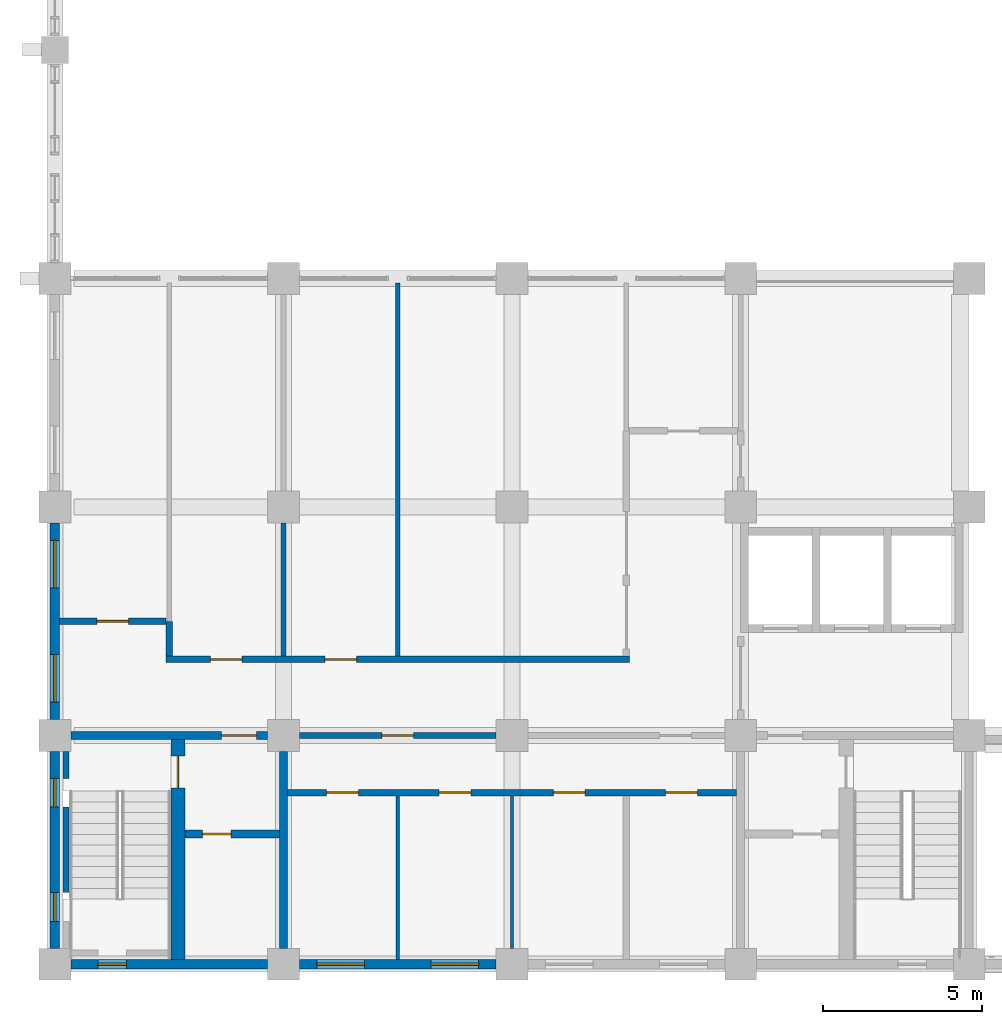
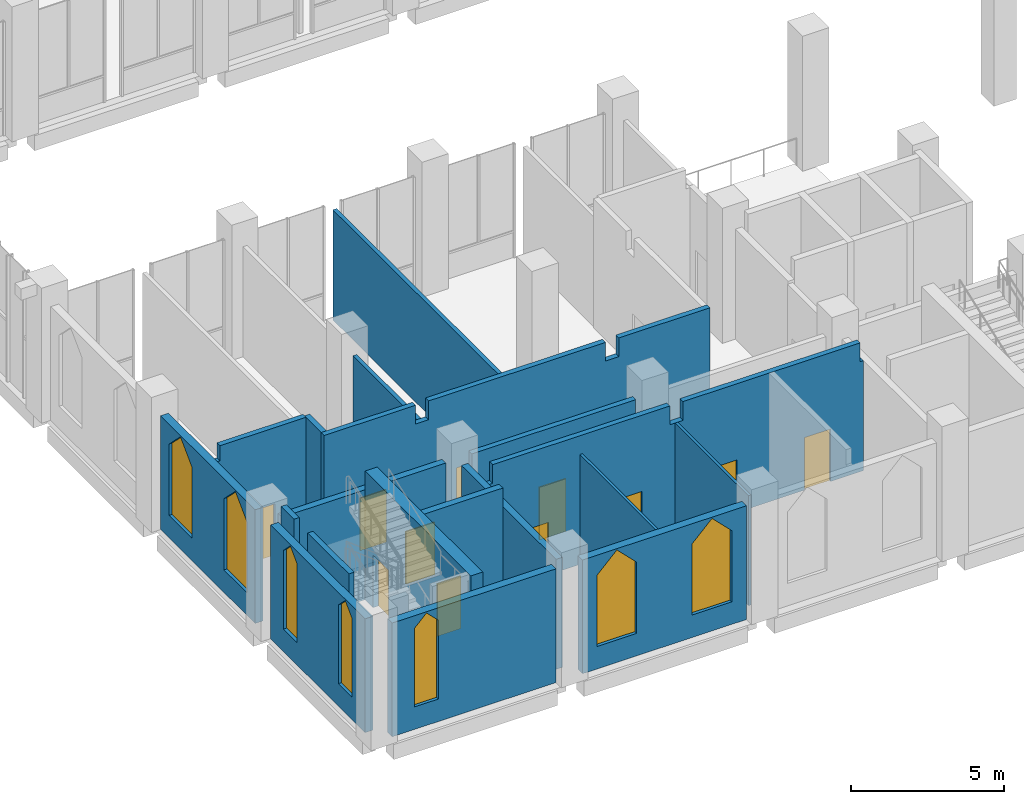
# One storey, part 27 of 48: 19 walls, 11 doors, 7 windows, 18 openings.
"""IFC4 building model written with IfcOpenShell, lengths in metres."""

from ifc_helpers import new_model, si_unit, direction, frame, frame_2d, origin, place, context, subcontext, project, spatial, polyline, rectangle, outline, extrude, material, layer, layer_set, type_object, element, fill, save


model = new_model("IFC4")

# Units and contexts
model_context = context("Model", 3, precision=1e-05, world=origin(), true_north=direction((0.0, 1.0)))
body_context = subcontext(model_context, "Body", "Model", "MODEL_VIEW")
ifc_project = project(units=[si_unit("LENGTHUNIT", "METRE"), si_unit("AREAUNIT", "SQUARE_METRE"), si_unit("VOLUMEUNIT", "CUBIC_METRE"), si_unit("PLANEANGLEUNIT", "RADIAN"), si_unit("MASSUNIT", "GRAM", prefix="KILO")], contexts=[model_context])

# Site, building, storey
site_placement = place(None, origin())
site = spatial("IfcSite", under=ifc_project, at=site_placement, CompositionType="ELEMENT")
building_placement = place(site_placement, origin())
building = spatial("IfcBuilding", under=site, at=building_placement, Name="Silangan Lancet Faculty of Sciences", CompositionType="ELEMENT")
storey_placement = place(building_placement, frame((0.0, 0.0, 6.0)))
storey = spatial("IfcBuildingStorey", under=building, at=storey_placement, Name="L01", CompositionType="ELEMENT", Elevation=6.0)

# Wall, openings, windows
ifc_material_1 = material(Name="Concrete C40/50 precast", Category="concrete")
ifc_layer_1 = layer(ifc_material_1, 0.300048828125)
ifc_layer_set_1 = layer_set([ifc_layer_1], Name="Concrete C40/50 precast")
wall_type_1 = type_object("IfcWallType", Name="EW2 Turret enclosure wall", PredefinedType="STANDARD", material=ifc_layer_set_1)
wall_1_placement = place(storey_placement, frame((0.0, 0.5, 0.0), z_axis=(0.0, 0.0, 1.0), x_axis=(0.0, 1.0, 0.0)))
wall_1 = element("IfcWall", 1, at=wall_1_placement, inside=storey, type_object=wall_type_1, Name="EW-L01-W-ST-00", PredefinedType="STANDARD", context=body_context, shape_type="SweptSolid", body=[
    extrude(rectangle(XDim=6.199951171875, YDim=0.300048828125, at=frame_2d((3.10009765625, 0.0))), origin(), (0.0, 0.0, 1.0), 4.550048828125),
])
opening_1_placement = place(wall_1_placement, frame((0.85009765625, 0.0, 0.89990234375)))
opening_1 = element("IfcOpeningElement", 2, at=opening_1_placement, cuts=wall_1, Name="Opening W5", PredefinedType="OPENING", context=body_context, shape_type="SweptSolid", body=[
    extrude(outline(polyline([(0.0, 0.0), (0.89990234375, 0.0), (0.89990234375, 3.150146484375), (0.449951171875, 3.60009765625), (0.0, 3.150146484375), (0.0, 0.0)])), frame((0.0, 0.159912109375, 0.0), z_axis=(0.0, -1.0, 0.0), x_axis=(1.0, 0.0, 0.0)), (0.0, 0.0, 1.0), 0.320068359375),
])
opening_2_placement = place(wall_1_placement, frame((4.449951171875, 0.0, 0.89990234375)))
opening_2 = element("IfcOpeningElement", 3, at=opening_2_placement, cuts=wall_1, Name="Opening W5", PredefinedType="OPENING", context=body_context, shape_type="SweptSolid", body=[
    extrude(outline(polyline([(0.0, 0.0), (0.89990234375, 0.0), (0.89990234375, 3.150146484375), (0.449951171875, 3.60009765625), (0.0, 3.150146484375), (0.0, 0.0)])), frame((0.0, 0.159912109375, 0.0), z_axis=(0.0, -1.0, 0.0), x_axis=(1.0, 0.0, 0.0)), (0.0, 0.0, 1.0), 0.320068359375),
])
ifc_material_2 = material(Name="Aluminium frame, laminated double glazing", Category="aluminium")
window_type_1 = type_object("IfcWindowType", Name="W5 Lancet window 900 x 3600", PartitioningType="SINGLE_PANEL", PredefinedType="WINDOW", material=ifc_material_2)
window_1_placement = place(opening_1_placement, origin())
window_1 = element("IfcWindow", 4, at=window_1_placement, inside=storey, type_object=window_type_1, Name="WIN-L01-W-ST-00a", OverallHeight=3.60009765625, OverallWidth=0.89990234375, PartitioningType="SINGLE_PANEL", PredefinedType="WINDOW", context=body_context, shape_type="SweptSolid", body=[
    extrude(outline(polyline([(0.0, 0.0), (0.89990234375, 0.0), (0.89990234375, 3.150146484375), (0.449951171875, 3.60009765625), (0.0, 3.150146484375), (0.0, 0.0)])), frame((0.0, 0.030029296875, 0.0), z_axis=(0.0, -1.0, 0.0), x_axis=(1.0, 0.0, 0.0)), (0.0, 0.0, 1.0), 0.06005859375),
])
fill(opening_1, window_1)
window_2_placement = place(opening_2_placement, origin())
window_2 = element("IfcWindow", 5, at=window_2_placement, inside=storey, type_object=window_type_1, Name="WIN-L01-W-ST-00b", OverallHeight=3.60009765625, OverallWidth=0.89990234375, PartitioningType="SINGLE_PANEL", PredefinedType="WINDOW", context=body_context, shape_type="SweptSolid", body=[
    extrude(outline(polyline([(0.0, 0.0), (0.89990234375, 0.0), (0.89990234375, 3.150146484375), (0.449951171875, 3.60009765625), (0.0, 3.150146484375), (0.0, 0.0)])), frame((0.0, 0.030029296875, 0.0), z_axis=(0.0, -1.0, 0.0), x_axis=(1.0, 0.0, 0.0)), (0.0, 0.0, 1.0), 0.06005859375),
])
fill(opening_2, window_2)

# Wall, opening, window
wall_2_placement = place(storey_placement, frame((0.5, 0.0, 0.0), z_axis=(0.0, 0.0, 1.0), x_axis=(1.0, 0.0, 0.0)))
wall_2 = element("IfcWall", 6, at=wall_2_placement, inside=storey, type_object=wall_type_1, Name="EW-L01-S-ST-00", PredefinedType="STANDARD", context=body_context, shape_type="SweptSolid", body=[
    extrude(rectangle(XDim=6.199951171875, YDim=0.300048828125, at=frame_2d((3.10009765625, 0.0))), origin(), (0.0, 0.0, 1.0), 4.550048828125),
])
opening_3_placement = place(wall_2_placement, frame((0.85009765625, 0.0, 0.89990234375)))
opening_3 = element("IfcOpeningElement", 7, at=opening_3_placement, cuts=wall_2, Name="Opening W5", PredefinedType="OPENING", context=body_context, shape_type="SweptSolid", body=[
    extrude(outline(polyline([(0.0, 0.0), (0.89990234375, 0.0), (0.89990234375, 3.150146484375), (0.449951171875, 3.60009765625), (0.0, 3.150146484375), (0.0, 0.0)])), frame((0.0, 0.159912109375, 0.0), z_axis=(0.0, -1.0, 0.0), x_axis=(1.0, 0.0, 0.0)), (0.0, 0.0, 1.0), 0.320068359375),
])
window_3_placement = place(opening_3_placement, origin())
window_3 = element("IfcWindow", 8, at=window_3_placement, inside=storey, type_object=window_type_1, Name="WIN-L01-S-ST-00a", OverallHeight=3.60009765625, OverallWidth=0.89990234375, PartitioningType="SINGLE_PANEL", PredefinedType="WINDOW", context=body_context, shape_type="SweptSolid", body=[
    extrude(outline(polyline([(0.0, 0.0), (0.89990234375, 0.0), (0.89990234375, 3.150146484375), (0.449951171875, 3.60009765625), (0.0, 3.150146484375), (0.0, 0.0)])), frame((0.0, 0.030029296875, 0.0), z_axis=(0.0, -1.0, 0.0), x_axis=(1.0, 0.0, 0.0)), (0.0, 0.0, 1.0), 0.06005859375),
])
fill(opening_3, window_3)

# Wall, openings, windows
ifc_material_3 = material(Name="Concrete C40/50", Category="concrete")
ifc_layer_2 = layer(ifc_material_3, 0.300048828125)
ifc_layer_set_2 = layer_set([ifc_layer_2], Name="Concrete C40/50")
wall_type_2 = type_object("IfcWallType", Name="EW6 Stone-faced base wall", PredefinedType="STANDARD", material=ifc_layer_set_2)
wall_3_placement = place(storey_placement, frame((0.0, 7.699951171875, 0.0), z_axis=(0.0, 0.0, 1.0), x_axis=(0.0, 1.0, 0.0)))
wall_3 = element("IfcWall", 9, at=wall_3_placement, inside=storey, type_object=wall_type_2, Name="EW-L01-W-ST-01", PredefinedType="STANDARD", context=body_context, shape_type="SweptSolid", body=[
    extrude(rectangle(XDim=6.199951171875, YDim=0.300048828125, at=frame_2d((3.10009765625, 0.0))), origin(), (0.0, 0.0, 1.0), 4.550048828125),
])
opening_4_placement = place(wall_3_placement, frame((0.550048828125, 0.0, 0.89990234375)))
opening_4 = element("IfcOpeningElement", 10, at=opening_4_placement, cuts=wall_3, Name="Opening W6", PredefinedType="OPENING", context=body_context, shape_type="SweptSolid", body=[
    extrude(outline(polyline([(0.0, 0.0), (1.5, 0.0), (1.5, 2.85009765625), (0.75, 3.60009765625), (0.0, 2.85009765625), (0.0, 0.0)])), frame((0.0, 0.159912109375, 0.0), z_axis=(0.0, -1.0, 0.0), x_axis=(1.0, 0.0, 0.0)), (0.0, 0.0, 1.0), 0.320068359375),
])
opening_5_placement = place(wall_3_placement, frame((4.14990234375, 0.0, 0.89990234375)))
opening_5 = element("IfcOpeningElement", 11, at=opening_5_placement, cuts=wall_3, Name="Opening W6", PredefinedType="OPENING", context=body_context, shape_type="SweptSolid", body=[
    extrude(outline(polyline([(0.0, 0.0), (1.5, 0.0), (1.5, 2.85009765625), (0.75, 3.60009765625), (0.0, 2.85009765625), (0.0, 0.0)])), frame((0.0, 0.159912109375, 0.0), z_axis=(0.0, -1.0, 0.0), x_axis=(1.0, 0.0, 0.0)), (0.0, 0.0, 1.0), 0.320068359375),
])
ifc_material_4 = material(Name="Aluminium frame, laminated double glazing", Category="aluminium")
window_type_2 = type_object("IfcWindowType", Name="W6 Lancet window 1500 x 3600", PartitioningType="SINGLE_PANEL", PredefinedType="WINDOW", material=ifc_material_4)
window_4_placement = place(opening_4_placement, origin())
window_4 = element("IfcWindow", 12, at=window_4_placement, inside=storey, type_object=window_type_2, Name="WIN-L01-W-ST-01a", OverallHeight=3.60009765625, OverallWidth=1.5, PartitioningType="SINGLE_PANEL", PredefinedType="WINDOW", context=body_context, shape_type="SweptSolid", body=[
    extrude(outline(polyline([(0.0, 0.0), (1.5, 0.0), (1.5, 2.85009765625), (0.75, 3.60009765625), (0.0, 2.85009765625), (0.0, 0.0)])), frame((0.0, 0.030029296875, 0.0), z_axis=(0.0, -1.0, 0.0), x_axis=(1.0, 0.0, 0.0)), (0.0, 0.0, 1.0), 0.06005859375),
])
fill(opening_4, window_4)
window_5_placement = place(opening_5_placement, origin())
window_5 = element("IfcWindow", 13, at=window_5_placement, inside=storey, type_object=window_type_2, Name="WIN-L01-W-ST-01b", OverallHeight=3.60009765625, OverallWidth=1.5, PartitioningType="SINGLE_PANEL", PredefinedType="WINDOW", context=body_context, shape_type="SweptSolid", body=[
    extrude(outline(polyline([(0.0, 0.0), (1.5, 0.0), (1.5, 2.85009765625), (0.75, 3.60009765625), (0.0, 2.85009765625), (0.0, 0.0)])), frame((0.0, 0.030029296875, 0.0), z_axis=(0.0, -1.0, 0.0), x_axis=(1.0, 0.0, 0.0)), (0.0, 0.0, 1.0), 0.06005859375),
])
fill(opening_5, window_5)

wall_4_placement = place(storey_placement, frame((7.699951171875, 0.0, 0.0), z_axis=(0.0, 0.0, 1.0), x_axis=(1.0, 0.0, 0.0)))
wall_4 = element("IfcWall", 14, at=wall_4_placement, inside=storey, type_object=wall_type_2, Name="EW-L01-S-ST-01", PredefinedType="STANDARD", context=body_context, shape_type="SweptSolid", body=[
    extrude(rectangle(XDim=6.199951171875, YDim=0.300048828125, at=frame_2d((3.10009765625, 0.0))), origin(), (0.0, 0.0, 1.0), 4.550048828125),
])
opening_6_placement = place(wall_4_placement, frame((0.550048828125, 0.0, 0.89990234375)))
opening_6 = element("IfcOpeningElement", 15, at=opening_6_placement, cuts=wall_4, Name="Opening W6", PredefinedType="OPENING", context=body_context, shape_type="SweptSolid", body=[
    extrude(outline(polyline([(0.0, 0.0), (1.5, 0.0), (1.5, 2.85009765625), (0.75, 3.60009765625), (0.0, 2.85009765625), (0.0, 0.0)])), frame((0.0, 0.159912109375, 0.0), z_axis=(0.0, -1.0, 0.0), x_axis=(1.0, 0.0, 0.0)), (0.0, 0.0, 1.0), 0.320068359375),
])
opening_7_placement = place(wall_4_placement, frame((4.14990234375, 0.0, 0.89990234375)))
opening_7 = element("IfcOpeningElement", 16, at=opening_7_placement, cuts=wall_4, Name="Opening W6", PredefinedType="OPENING", context=body_context, shape_type="SweptSolid", body=[
    extrude(outline(polyline([(0.0, 0.0), (1.5, 0.0), (1.5, 2.85009765625), (0.75, 3.60009765625), (0.0, 2.85009765625), (0.0, 0.0)])), frame((0.0, 0.159912109375, 0.0), z_axis=(0.0, -1.0, 0.0), x_axis=(1.0, 0.0, 0.0)), (0.0, 0.0, 1.0), 0.320068359375),
])
window_6_placement = place(opening_6_placement, origin())
window_6 = element("IfcWindow", 17, at=window_6_placement, inside=storey, type_object=window_type_2, Name="WIN-L01-S-ST-01a", OverallHeight=3.60009765625, OverallWidth=1.5, PartitioningType="SINGLE_PANEL", PredefinedType="WINDOW", context=body_context, shape_type="SweptSolid", body=[
    extrude(outline(polyline([(0.0, 0.0), (1.5, 0.0), (1.5, 2.85009765625), (0.75, 3.60009765625), (0.0, 2.85009765625), (0.0, 0.0)])), frame((0.0, 0.030029296875, 0.0), z_axis=(0.0, -1.0, 0.0), x_axis=(1.0, 0.0, 0.0)), (0.0, 0.0, 1.0), 0.06005859375),
])
fill(opening_6, window_6)
window_7_placement = place(opening_7_placement, origin())
window_7 = element("IfcWindow", 18, at=window_7_placement, inside=storey, type_object=window_type_2, Name="WIN-L01-S-ST-01b", OverallHeight=3.60009765625, OverallWidth=1.5, PartitioningType="SINGLE_PANEL", PredefinedType="WINDOW", context=body_context, shape_type="SweptSolid", body=[
    extrude(outline(polyline([(0.0, 0.0), (1.5, 0.0), (1.5, 2.85009765625), (0.75, 3.60009765625), (0.0, 2.85009765625), (0.0, 0.0)])), frame((0.0, 0.030029296875, 0.0), z_axis=(0.0, -1.0, 0.0), x_axis=(1.0, 0.0, 0.0)), (0.0, 0.0, 1.0), 0.06005859375),
])
fill(opening_7, window_7)

# Wall, openings, doors
ifc_material_5 = material(Name="Hollow block masonry fm 7 MPa", Category="masonry")
ifc_layer_3 = layer(ifc_material_5, 0.199951171875)
ifc_layer_set_3 = layer_set([ifc_layer_3], Name="Hollow block masonry fm 7 MPa")
wall_type_3 = type_object("IfcWallType", Name="Interior wall PW1 Corridor wall CHB 200", PredefinedType="PARTITIONING", material=ifc_layer_set_3)
wall_5_placement = place(storey_placement, frame((7.324951171875, 5.39990234375, 0.0), z_axis=(0.0, 0.0, 1.0), x_axis=(1.0, 0.0, 0.0)))
wall_5 = element("IfcWall", 19, at=wall_5_placement, inside=storey, type_object=wall_type_3, Name="Corridor wall CHB 200", PredefinedType="PARTITIONING", context=body_context, shape_type="SweptSolid", body=[
    extrude(outline(polyline([(0.0, 0.0), (14.150146484375, 0.0), (14.150146484375, 4.39990234375), (14.02490234375, 4.39990234375), (14.02490234375, 5.14990234375), (7.324951171875, 5.14990234375), (7.324951171875, 4.39990234375), (6.824951171875, 4.39990234375), (6.824951171875, 5.14990234375), (0.125, 5.14990234375), (0.125, 4.39990234375), (0.0, 4.39990234375), (0.0, 0.0)])), frame((0.0, 0.10009765625, 0.0), z_axis=(0.0, -1.0, 0.0), x_axis=(1.0, 0.0, 0.0)), (0.0, 0.0, 1.0), 0.199951171875),
])
opening_8_placement = place(wall_5_placement, frame((1.237548828125, 0.0, 0.0)))
opening_8 = element("IfcOpeningElement", 20, at=opening_8_placement, cuts=wall_5, Name="Opening L01-009", PredefinedType="OPENING", context=body_context, shape_type="SweptSolid", body=[
    extrude(rectangle(XDim=1.0, YDim=2.10009765625, at=frame_2d((0.5, 1.050048828125))), frame((0.0, 0.10986328125, 0.0), z_axis=(0.0, -1.0, 0.0), x_axis=(1.0, 0.0, 0.0)), (0.0, 0.0, 1.0), 0.219970703125),
])
opening_9_placement = place(wall_5_placement, frame((4.77490234375, 0.0, 0.0)))
opening_9 = element("IfcOpeningElement", 21, at=opening_9_placement, cuts=wall_5, Name="Opening L01-010", PredefinedType="OPENING", context=body_context, shape_type="SweptSolid", body=[
    extrude(rectangle(XDim=1.0, YDim=2.10009765625, at=frame_2d((0.5, 1.050048828125))), frame((0.0, 0.10986328125, 0.0), z_axis=(0.0, -1.0, 0.0), x_axis=(1.0, 0.0, 0.0)), (0.0, 0.0, 1.0), 0.219970703125),
])
opening_10_placement = place(wall_5_placement, frame((8.375, 0.0, 0.0)))
opening_10 = element("IfcOpeningElement", 22, at=opening_10_placement, cuts=wall_5, Name="Opening L01-011", PredefinedType="OPENING", context=body_context, shape_type="SweptSolid", body=[
    extrude(rectangle(XDim=1.0, YDim=2.10009765625, at=frame_2d((0.5, 1.050048828125))), frame((0.0, 0.10986328125, 0.0), z_axis=(0.0, -1.0, 0.0), x_axis=(1.0, 0.0, 0.0)), (0.0, 0.0, 1.0), 0.219970703125),
])
opening_11_placement = place(wall_5_placement, frame((11.91259765625, 0.0, 0.0)))
opening_11 = element("IfcOpeningElement", 23, at=opening_11_placement, cuts=wall_5, Name="Opening L01-012", PredefinedType="OPENING", context=body_context, shape_type="SweptSolid", body=[
    extrude(rectangle(XDim=1.0, YDim=2.10009765625, at=frame_2d((0.5, 1.050048828125))), frame((0.0, 0.10986328125, 0.0), z_axis=(0.0, -1.0, 0.0), x_axis=(1.0, 0.0, 0.0)), (0.0, 0.0, 1.0), 0.219970703125),
])
ifc_material_6 = material(Name="Steel fire door set", Category="steel")
door_type_1 = type_object("IfcDoorType", Name="Door D1 Single leaf fire door 1000 x 2100", OperationType="SINGLE_SWING_LEFT", PredefinedType="DOOR", material=ifc_material_6)
door_1_placement = place(opening_8_placement, frame((1.0, 0.0, 0.0), z_axis=(0.0, 0.0, 1.0), x_axis=(-1.0, 0.0, 0.0)))
door_1 = element("IfcDoor", 24, at=door_1_placement, inside=storey, type_object=door_type_1, Name="Single leaf fire door 1000 x 2100", OperationType="SINGLE_SWING_RIGHT", OverallHeight=2.10009765625, OverallWidth=1.0, PredefinedType="DOOR", context=body_context, shape_type="SweptSolid", body=[
    extrude(rectangle(XDim=1.0, YDim=2.10009765625, at=frame_2d((0.5, 1.050048828125))), frame((0.0, 0.025146484375, 0.0), z_axis=(0.0, -1.0, 0.0), x_axis=(1.0, 0.0, 0.0)), (0.0, 0.0, 1.0), 0.050048828125),
])
fill(opening_8, door_1)
door_2_placement = place(opening_9_placement, frame((1.0, 0.0, 0.0), z_axis=(0.0, 0.0, 1.0), x_axis=(-1.0, 0.0, 0.0)))
door_2 = element("IfcDoor", 25, at=door_2_placement, inside=storey, type_object=door_type_1, Name="Single leaf fire door 1000 x 2100", OperationType="SINGLE_SWING_LEFT", OverallHeight=2.10009765625, OverallWidth=1.0, PredefinedType="DOOR", context=body_context, shape_type="SweptSolid", body=[
    extrude(rectangle(XDim=1.0, YDim=2.10009765625, at=frame_2d((0.5, 1.050048828125))), frame((0.0, 0.025146484375, 0.0), z_axis=(0.0, -1.0, 0.0), x_axis=(1.0, 0.0, 0.0)), (0.0, 0.0, 1.0), 0.050048828125),
])
fill(opening_9, door_2)
door_3_placement = place(opening_10_placement, frame((1.0, 0.0, 0.0), z_axis=(0.0, 0.0, 1.0), x_axis=(-1.0, 0.0, 0.0)))
door_3 = element("IfcDoor", 26, at=door_3_placement, inside=storey, type_object=door_type_1, Name="Single leaf fire door 1000 x 2100", OperationType="SINGLE_SWING_RIGHT", OverallHeight=2.10009765625, OverallWidth=1.0, PredefinedType="DOOR", context=body_context, shape_type="SweptSolid", body=[
    extrude(rectangle(XDim=1.0, YDim=2.10009765625, at=frame_2d((0.5, 1.050048828125))), frame((0.0, 0.025146484375, 0.0), z_axis=(0.0, -1.0, 0.0), x_axis=(1.0, 0.0, 0.0)), (0.0, 0.0, 1.0), 0.050048828125),
])
fill(opening_10, door_3)
door_4_placement = place(opening_11_placement, frame((1.0, 0.0, 0.0), z_axis=(0.0, 0.0, 1.0), x_axis=(-1.0, 0.0, 0.0)))
door_4 = element("IfcDoor", 27, at=door_4_placement, inside=storey, type_object=door_type_1, Name="Single leaf fire door 1000 x 2100", OperationType="SINGLE_SWING_LEFT", OverallHeight=2.10009765625, OverallWidth=1.0, PredefinedType="DOOR", context=body_context, shape_type="SweptSolid", body=[
    extrude(rectangle(XDim=1.0, YDim=2.10009765625, at=frame_2d((0.5, 1.050048828125))), frame((0.0, 0.025146484375, 0.0), z_axis=(0.0, -1.0, 0.0), x_axis=(1.0, 0.0, 0.0)), (0.0, 0.0, 1.0), 0.050048828125),
])
fill(opening_11, door_4)

# Wall, opening, door
wall_6_placement = place(storey_placement, frame((7.699951171875, 7.199951171875, 0.0), z_axis=(0.0, 0.0, 1.0), x_axis=(1.0, 0.0, 0.0)))
wall_6 = element("IfcWall", 28, at=wall_6_placement, inside=storey, type_object=wall_type_3, Name="Corridor wall CHB 200", PredefinedType="PARTITIONING", context=body_context, shape_type="SweptSolid", body=[
    extrude(rectangle(XDim=6.199951171875, YDim=0.199951171875, at=frame_2d((3.10009765625, 0.0))), origin(), (0.0, 0.0, 1.0), 4.39990234375),
])
opening_12_placement = place(wall_6_placement, frame((2.599853515625, 0.0, 0.0)))
opening_12 = element("IfcOpeningElement", 29, at=opening_12_placement, cuts=wall_6, Name="Opening L01-002", PredefinedType="OPENING", context=body_context, shape_type="SweptSolid", body=[
    extrude(rectangle(XDim=1.0, YDim=2.10009765625, at=frame_2d((0.5, 1.050048828125))), frame((0.0, 0.10986328125, 0.0), z_axis=(0.0, -1.0, 0.0), x_axis=(1.0, 0.0, 0.0)), (0.0, 0.0, 1.0), 0.219970703125),
])
door_5_placement = place(opening_12_placement, frame((1.0, 0.0, 0.0), z_axis=(0.0, 0.0, 1.0), x_axis=(-1.0, 0.0, 0.0)))
door_5 = element("IfcDoor", 30, at=door_5_placement, inside=storey, type_object=door_type_1, Name="Single leaf fire door 1000 x 2100", OperationType="SINGLE_SWING_LEFT", OverallHeight=2.10009765625, OverallWidth=1.0, PredefinedType="DOOR", context=body_context, shape_type="SweptSolid", body=[
    extrude(rectangle(XDim=1.0, YDim=2.10009765625, at=frame_2d((0.5, 1.050048828125))), frame((0.0, 0.025146484375, 0.0), z_axis=(0.0, -1.0, 0.0), x_axis=(1.0, 0.0, 0.0)), (0.0, 0.0, 1.0), 0.050048828125),
])
fill(opening_12, door_5)

# Wall, openings, doors
wall_7_placement = place(storey_placement, frame((3.5, 9.60009765625, 0.0), z_axis=(0.0, 0.0, 1.0), x_axis=(1.0, 0.0, 0.0)))
wall_7 = element("IfcWall", 31, at=wall_7_placement, inside=storey, type_object=wall_type_3, Name="Corridor wall CHB 200", PredefinedType="PARTITIONING", context=body_context, shape_type="SweptSolid", body=[
    extrude(outline(polyline([(0.0, 0.0), (14.60009765625, 0.0), (14.60009765625, 5.14990234375), (11.14990234375, 5.14990234375), (11.14990234375, 4.39990234375), (10.64990234375, 4.39990234375), (10.64990234375, 5.14990234375), (3.949951171875, 5.14990234375), (3.949951171875, 4.39990234375), (3.449951171875, 4.39990234375), (3.449951171875, 5.14990234375), (0.0, 5.14990234375), (0.0, 0.0)])), frame((0.0, 0.10009765625, 0.0), z_axis=(0.0, -1.0, 0.0), x_axis=(1.0, 0.0, 0.0)), (0.0, 0.0, 1.0), 0.199951171875),
])
opening_13_placement = place(wall_7_placement, frame((1.39990234375, 0.0, 0.0)))
opening_13 = element("IfcOpeningElement", 32, at=opening_13_placement, cuts=wall_7, Name="Opening L01-016", PredefinedType="OPENING", context=body_context, shape_type="SweptSolid", body=[
    extrude(rectangle(XDim=1.0, YDim=2.10009765625, at=frame_2d((0.5, 1.050048828125))), frame((0.0, 0.10986328125, 0.0), z_axis=(0.0, -1.0, 0.0), x_axis=(1.0, 0.0, 0.0)), (0.0, 0.0, 1.0), 0.219970703125),
])
opening_14_placement = place(wall_7_placement, frame((5.0, 0.0, 0.0)))
opening_14 = element("IfcOpeningElement", 33, at=opening_14_placement, cuts=wall_7, Name="Opening L01-017", PredefinedType="OPENING", context=body_context, shape_type="SweptSolid", body=[
    extrude(rectangle(XDim=1.0, YDim=2.10009765625, at=frame_2d((0.5, 1.050048828125))), frame((0.0, 0.10986328125, 0.0), z_axis=(0.0, -1.0, 0.0), x_axis=(1.0, 0.0, 0.0)), (0.0, 0.0, 1.0), 0.219970703125),
])
door_6_placement = place(opening_13_placement, origin())
door_6 = element("IfcDoor", 34, at=door_6_placement, inside=storey, type_object=door_type_1, Name="Single leaf fire door 1000 x 2100", OperationType="SINGLE_SWING_RIGHT", OverallHeight=2.10009765625, OverallWidth=1.0, PredefinedType="DOOR", context=body_context, shape_type="SweptSolid", body=[
    extrude(rectangle(XDim=1.0, YDim=2.10009765625, at=frame_2d((0.5, 1.050048828125))), frame((0.0, 0.02490234375, 0.0), z_axis=(0.0, -1.0, 0.0), x_axis=(1.0, 0.0, 0.0)), (0.0, 0.0, 1.0), 0.050048828125),
])
fill(opening_13, door_6)
door_7_placement = place(opening_14_placement, origin())
door_7 = element("IfcDoor", 35, at=door_7_placement, inside=storey, type_object=door_type_1, Name="Single leaf fire door 1000 x 2100", OperationType="SINGLE_SWING_LEFT", OverallHeight=2.10009765625, OverallWidth=1.0, PredefinedType="DOOR", context=body_context, shape_type="SweptSolid", body=[
    extrude(rectangle(XDim=1.0, YDim=2.10009765625, at=frame_2d((0.5, 1.050048828125))), frame((0.0, 0.02490234375, 0.0), z_axis=(0.0, -1.0, 0.0), x_axis=(1.0, 0.0, 0.0)), (0.0, 0.0, 1.0), 0.050048828125),
])
fill(opening_14, door_7)

# Wall, opening, door
wall_8_placement = place(storey_placement, frame((0.14990234375, 10.800048828125, 0.0), z_axis=(0.0, 0.0, 1.0), x_axis=(1.0, 0.0, 0.0)))
wall_8 = element("IfcWall", 36, at=wall_8_placement, inside=storey, type_object=wall_type_3, Name="Corridor wall CHB 200", PredefinedType="PARTITIONING", context=body_context, shape_type="SweptSolid", body=[
    extrude(outline(polyline([(0.0, 0.0), (3.35009765625, 0.0), (3.35009765625, 5.14990234375), (0.10009765625, 5.14990234375), (0.10009765625, 4.550048828125), (0.0, 4.550048828125), (0.0, 0.0)])), frame((0.0, 0.10009765625, 0.0), z_axis=(0.0, -1.0, 0.0), x_axis=(1.0, 0.0, 0.0)), (0.0, 0.0, 1.0), 0.199951171875),
])
opening_15_placement = place(wall_8_placement, frame((1.175048828125, 0.0, 0.0)))
opening_15 = element("IfcOpeningElement", 37, at=opening_15_placement, cuts=wall_8, Name="Opening L01-015", PredefinedType="OPENING", context=body_context, shape_type="SweptSolid", body=[
    extrude(rectangle(XDim=1.0, YDim=2.10009765625, at=frame_2d((0.5, 1.050048828125))), frame((0.0, 0.10986328125, 0.0), z_axis=(0.0, -1.0, 0.0), x_axis=(1.0, 0.0, 0.0)), (0.0, 0.0, 1.0), 0.219970703125),
])
door_8_placement = place(opening_15_placement, origin())
door_8 = element("IfcDoor", 38, at=door_8_placement, inside=storey, type_object=door_type_1, Name="Single leaf fire door 1000 x 2100", OperationType="SINGLE_SWING_LEFT", OverallHeight=2.10009765625, OverallWidth=1.0, PredefinedType="DOOR", context=body_context, shape_type="SweptSolid", body=[
    extrude(rectangle(XDim=1.0, YDim=2.10009765625, at=frame_2d((0.5, 1.050048828125))), frame((0.0, 0.02490234375, 0.0), z_axis=(0.0, -1.0, 0.0), x_axis=(1.0, 0.0, 0.0)), (0.0, 0.0, 1.0), 0.050048828125),
])
fill(opening_15, door_8)

# Walls
wall_9_placement = place(storey_placement, frame((3.60009765625, 9.699951171875, 0.0), z_axis=(0.0, 0.0, 1.0), x_axis=(0.0, 1.0, 0.0)))
element("IfcWall", 39, at=wall_9_placement, inside=storey, type_object=wall_type_3, Name="Corridor wall CHB 200", PredefinedType="PARTITIONING", context=body_context, shape_type="SweptSolid", body=[
    extrude(rectangle(XDim=1.10009765625, YDim=0.199951171875, at=frame_2d((0.550048828125, 0.0))), origin(), (0.0, 0.0, 1.0), 5.14990234375),
])
ifc_material_7 = material(Name="Hollow block masonry fm 7 MPa", Category="masonry")
ifc_layer_4 = layer(ifc_material_7, 0.14990234375)
ifc_layer_set_4 = layer_set([ifc_layer_4], Name="Hollow block masonry fm 7 MPa")
wall_type_4 = type_object("IfcWallType", Name="Interior wall PW3 Partition CHB 150", PredefinedType="PARTITIONING", material=ifc_layer_set_4)
wall_10_placement = place(storey_placement, frame((7.199951171875, 9.699951171875, 0.0), z_axis=(0.0, 0.0, 1.0), x_axis=(0.0, 1.0, 0.0)))
element("IfcWall", 40, at=wall_10_placement, inside=storey, type_object=wall_type_4, Name="Partition CHB 150", PredefinedType="PARTITIONING", context=body_context, shape_type="SweptSolid", body=[
    extrude(rectangle(XDim=4.199951171875, YDim=0.14990234375, at=frame_2d((2.10009765625, 0.0))), origin(), (0.0, 0.0, 1.0), 4.39990234375),
])
wall_11_placement = place(storey_placement, frame((10.800048828125, 9.699951171875, 0.0), z_axis=(0.0, 0.0, 1.0), x_axis=(0.0, 1.0, 0.0)))
element("IfcWall", 41, at=wall_11_placement, inside=storey, type_object=wall_type_4, Name="Partition CHB 150", PredefinedType="PARTITIONING", context=body_context, shape_type="SweptSolid", body=[
    extrude(rectangle(XDim=11.75, YDim=0.14990234375, at=frame_2d((5.875, 0.0))), origin(), (0.0, 0.0, 1.0), 4.39990234375),
])
ifc_material_8 = material(Name="Hollow block masonry fm 7 MPa", Category="masonry")
ifc_layer_5 = layer(ifc_material_8, 0.10009765625)
ifc_layer_set_5 = layer_set([ifc_layer_5], Name="Hollow block masonry fm 7 MPa")
wall_type_5 = type_object("IfcWallType", Name="Interior wall PW8 WC partition CHB 100", PredefinedType="PARTITIONING", material=ifc_layer_set_5)
wall_12_placement = place(storey_placement, frame((10.800048828125, 0.14990234375, 0.0), z_axis=(0.0, 0.0, 1.0), x_axis=(0.0, 1.0, 0.0)))
element("IfcWall", 42, at=wall_12_placement, inside=storey, type_object=wall_type_5, Name="WC partition CHB 100", PredefinedType="PARTITIONING", context=body_context, shape_type="SweptSolid", body=[
    extrude(rectangle(XDim=5.150146484375, YDim=0.10009765625, at=frame_2d((2.5751953125, 0.0))), origin(), (0.0, 0.0, 1.0), 4.39990234375),
])
wall_13_placement = place(storey_placement, frame((14.39990234375, 0.5, 0.0), z_axis=(0.0, 0.0, 1.0), x_axis=(0.0, 1.0, 0.0)))
element("IfcWall", 43, at=wall_13_placement, inside=storey, type_object=wall_type_5, Name="WC partition CHB 100", PredefinedType="PARTITIONING", context=body_context, shape_type="SweptSolid", body=[
    extrude(rectangle(XDim=4.800048828125, YDim=0.10009765625, at=frame_2d((2.39990234375, 0.0))), origin(), (0.0, 0.0, 1.0), 4.39990234375),
])

# Wall, opening, door
ifc_material_9 = material(Name="Concrete C40/50", Category="concrete")
ifc_layer_6 = layer(ifc_material_9, 0.449951171875)
ifc_layer_set_6 = layer_set([ifc_layer_6], Name="Concrete C40/50")
wall_type_6 = type_object("IfcWallType", Name="TURRET CORE WALL RC 450", PredefinedType="SHEAR", material=ifc_layer_set_6)
wall_14_placement = place(storey_placement, frame((3.875, 0.14990234375, 0.0), z_axis=(0.0, 0.0, 1.0), x_axis=(0.0, 1.0, 0.0)))
wall_14 = element("IfcWall", 44, at=wall_14_placement, inside=storey, type_object=wall_type_6, Name="WALL-L01-ST-A-WELL", PredefinedType="SHEAR", context=body_context, shape_type="SweptSolid", body=[
    extrude(rectangle(XDim=6.925048828125, YDim=0.449951171875, at=frame_2d((3.46240234375, 0.0))), origin(), (0.0, 0.0, 1.0), 5.14990234375),
])
opening_16_placement = place(wall_14_placement, frame((5.39990234375, 0.0, 0.0)))
opening_16 = element("IfcOpeningElement", 45, at=opening_16_placement, cuts=wall_14, Name="Opening L01-725", PredefinedType="OPENING", context=body_context, shape_type="SweptSolid", body=[
    extrude(rectangle(XDim=1.0, YDim=2.10009765625, at=frame_2d((0.5, 1.050048828125))), frame((0.0, 0.23486328125, 0.0), z_axis=(0.0, -1.0, 0.0), x_axis=(1.0, 0.0, 0.0)), (0.0, 0.0, 1.0), 0.469970703125),
])
ifc_material_10 = material(Name="Steel fire door set", Category="steel")
door_type_2 = type_object("IfcDoorType", Name="D71 Stair enclosure door 1000x2100", OperationType="SINGLE_SWING_LEFT", PredefinedType="DOOR", material=ifc_material_10)
door_9_placement = place(opening_16_placement, origin())
door_9 = element("IfcDoor", 46, at=door_9_placement, inside=storey, type_object=door_type_2, Name="Stair enclosure door ST-A L01", OperationType="SINGLE_SWING_RIGHT", OverallHeight=2.10009765625, OverallWidth=1.0, PredefinedType="DOOR", context=body_context, shape_type="SweptSolid", body=[
    extrude(rectangle(XDim=1.0, YDim=2.10009765625, at=frame_2d((0.5, 1.050048828125))), frame((0.0, 0.02490234375, 0.0), z_axis=(0.0, -1.0, 0.0), x_axis=(1.0, 0.0, 0.0)), (0.0, 0.0, 1.0), 0.050048828125),
])
fill(opening_16, door_9)

# Walls
ifc_material_11 = material(Name="Concrete C40/50", Category="concrete")
ifc_layer_7 = layer(ifc_material_11, 0.199951171875)
ifc_layer_set_7 = layer_set([ifc_layer_7], Name="Concrete C40/50")
wall_type_7 = type_object("IfcWallType", Name="TURRET LINING WALL RC 200", PredefinedType="SHEAR", material=ifc_layer_set_7)
wall_15_placement = place(storey_placement, frame((0.35009765625, 2.25, -0.25), z_axis=(0.0, 0.0, 1.0), x_axis=(0.0, 1.0, 0.0)))
element("IfcWall", 47, at=wall_15_placement, inside=storey, type_object=wall_type_7, Name="WALL-L01-ST-A-WL-2", PredefinedType="SHEAR", context=body_context, shape_type="SweptSolid", body=[
    extrude(rectangle(XDim=2.699951171875, YDim=0.199951171875, at=frame_2d((1.35009765625, 0.0))), origin(), (0.0, 0.0, 1.0), 5.39990234375),
])
wall_16_placement = place(storey_placement, frame((0.35009765625, 5.85009765625, -0.25), z_axis=(0.0, 0.0, 1.0), x_axis=(0.0, 1.0, 0.0)))
element("IfcWall", 48, at=wall_16_placement, inside=storey, type_object=wall_type_7, Name="WALL-L01-ST-A-WL-3", PredefinedType="SHEAR", context=body_context, shape_type="SweptSolid", body=[
    extrude(rectangle(XDim=0.849853515625, YDim=0.199951171875, at=frame_2d((0.4248046875, 0.0))), origin(), (0.0, 0.0, 1.0), 5.39990234375),
])

# Wall, opening, door
ifc_material_12 = material(Name="Concrete C40/50", Category="concrete")
ifc_layer_8 = layer(ifc_material_12, 0.25)
ifc_layer_set_8 = layer_set([ifc_layer_8], Name="Concrete C40/50")
wall_type_8 = type_object("IfcWallType", Name="TURRET WALL RC 250", PredefinedType="SHEAR", material=ifc_layer_set_8)
wall_17_placement = place(storey_placement, frame((0.5, 7.199951171875, 0.0), z_axis=(0.0, 0.0, 1.0), x_axis=(1.0, 0.0, 0.0)))
wall_17 = element("IfcWall", 49, at=wall_17_placement, inside=storey, type_object=wall_type_8, Name="WALL-L01-ST-A-V", PredefinedType="SHEAR", context=body_context, shape_type="SweptSolid", body=[
    extrude(rectangle(XDim=6.199951171875, YDim=0.25, at=frame_2d((3.10009765625, 0.0))), origin(), (0.0, 0.0, 1.0), 4.39990234375),
])
opening_17_placement = place(wall_17_placement, frame((4.75, 0.0, 0.0)))
opening_17 = element("IfcOpeningElement", 50, at=opening_17_placement, cuts=wall_17, Name="Opening L01-726", PredefinedType="OPENING", context=body_context, shape_type="SweptSolid", body=[
    extrude(rectangle(XDim=1.10009765625, YDim=2.10009765625, at=frame_2d((0.550048828125, 1.050048828125))), frame((0.0, 0.135009765625, 0.0), z_axis=(0.0, -1.0, 0.0), x_axis=(1.0, 0.0, 0.0)), (0.0, 0.0, 1.0), 0.27001953125),
])
ifc_material_13 = material(Name="Steel fire door set", Category="steel")
door_type_3 = type_object("IfcDoorType", Name="D70 Stair vestibule door 1100x2100", OperationType="SINGLE_SWING_LEFT", PredefinedType="DOOR", material=ifc_material_13)
door_10_placement = place(opening_17_placement, frame((1.10009765625, 0.0, 0.0), z_axis=(0.0, 0.0, 1.0), x_axis=(-1.0, 0.0, 0.0)))
door_10 = element("IfcDoor", 51, at=door_10_placement, inside=storey, type_object=door_type_3, Name="Stair vestibule door ST-A L01", OperationType="SINGLE_SWING_LEFT", OverallHeight=2.10009765625, OverallWidth=1.10009765625, PredefinedType="DOOR", context=body_context, shape_type="SweptSolid", body=[
    extrude(rectangle(XDim=1.10009765625, YDim=2.10009765625, at=frame_2d((0.550048828125, 1.050048828125))), frame((0.0, 0.025146484375, 0.0), z_axis=(0.0, -1.0, 0.0), x_axis=(1.0, 0.0, 0.0)), (0.0, 0.0, 1.0), 0.050048828125),
])
fill(opening_17, door_10)

# Wall
wall_18_placement = place(storey_placement, frame((7.199951171875, 0.5, 0.0), z_axis=(0.0, 0.0, 1.0), x_axis=(0.0, 1.0, 0.0)))
element("IfcWall", 52, at=wall_18_placement, inside=storey, type_object=wall_type_8, Name="WALL-L01-ST-A-O", PredefinedType="SHEAR", context=body_context, shape_type="SweptSolid", body=[
    extrude(rectangle(XDim=6.199951171875, YDim=0.25, at=frame_2d((3.10009765625, 0.0))), origin(), (0.0, 0.0, 1.0), 4.39990234375),
])

# Wall, opening, door
wall_19_placement = place(storey_placement, frame((4.10009765625, 4.10009765625, 0.0), z_axis=(0.0, 0.0, 1.0), x_axis=(1.0, 0.0, 0.0)))
wall_19 = element("IfcWall", 53, at=wall_19_placement, inside=storey, type_object=wall_type_8, Name="WALL-L01-ST-A-RISER", PredefinedType="SHEAR", context=body_context, shape_type="SweptSolid", body=[
    extrude(rectangle(XDim=2.974853515625, YDim=0.25, at=frame_2d((1.4873046875, 0.0))), origin(), (0.0, 0.0, 1.0), 5.14990234375),
])
opening_18_placement = place(wall_19_placement, frame((0.550048828125, 0.0, 0.0)))
opening_18 = element("IfcOpeningElement", 54, at=opening_18_placement, cuts=wall_19, Name="Opening L01-727", PredefinedType="OPENING", context=body_context, shape_type="SweptSolid", body=[
    extrude(rectangle(XDim=0.89990234375, YDim=2.10009765625, at=frame_2d((0.449951171875, 1.050048828125))), frame((0.0, 0.135009765625, 0.0), z_axis=(0.0, -1.0, 0.0), x_axis=(1.0, 0.0, 0.0)), (0.0, 0.0, 1.0), 0.27001953125),
])
ifc_material_14 = material(Name="Steel fire door set", Category="steel")
door_type_4 = type_object("IfcDoorType", Name="D72 Riser access door 900x2100", OperationType="SINGLE_SWING_LEFT", PredefinedType="DOOR", material=ifc_material_14)
door_11_placement = place(opening_18_placement, frame((0.89990234375, 0.0, 0.0), z_axis=(0.0, 0.0, 1.0), x_axis=(-1.0, 0.0, 0.0)))
door_11 = element("IfcDoor", 55, at=door_11_placement, inside=storey, type_object=door_type_4, Name="Riser access door ST-A L01", OperationType="SINGLE_SWING_LEFT", OverallHeight=2.10009765625, OverallWidth=0.89990234375, PredefinedType="DOOR", context=body_context, shape_type="SweptSolid", body=[
    extrude(rectangle(XDim=0.89990234375, YDim=2.10009765625, at=frame_2d((0.449951171875, 1.050048828125))), frame((0.0, 0.025146484375, 0.0), z_axis=(0.0, -1.0, 0.0), x_axis=(1.0, 0.0, 0.0)), (0.0, 0.0, 1.0), 0.050048828125),
])
fill(opening_18, door_11)

save(model, "model.ifc")
